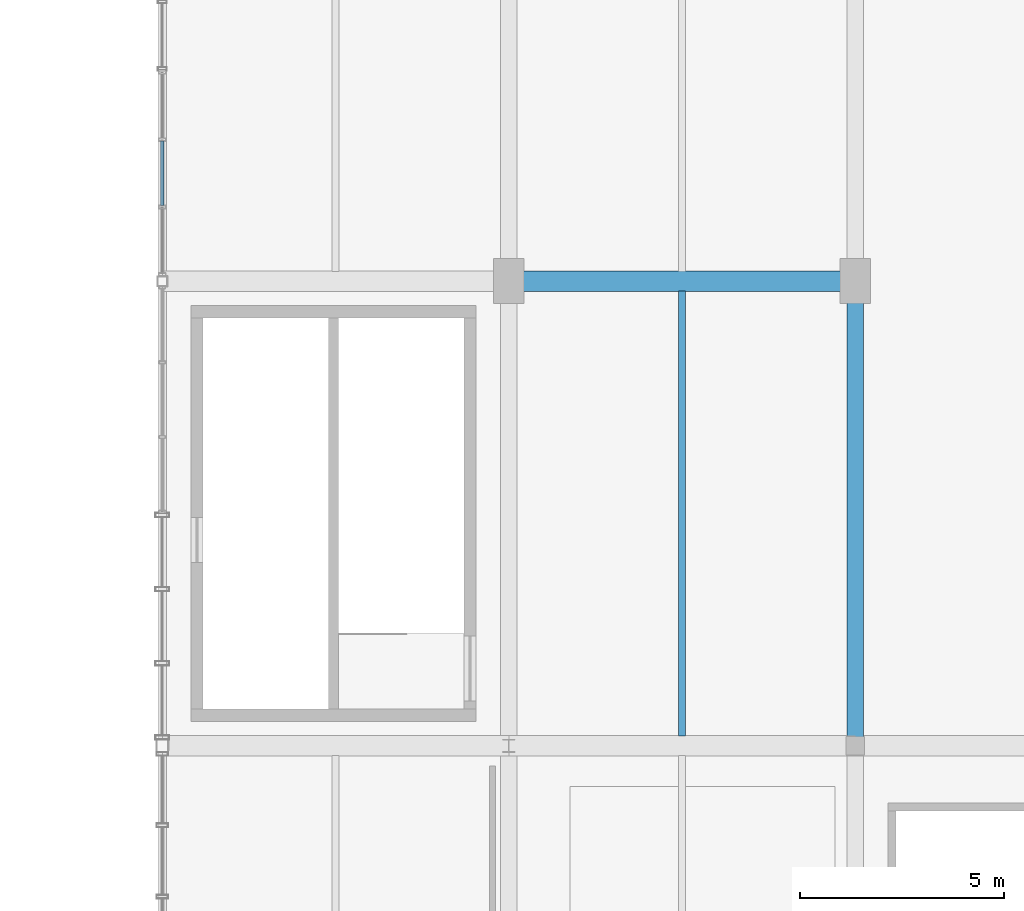
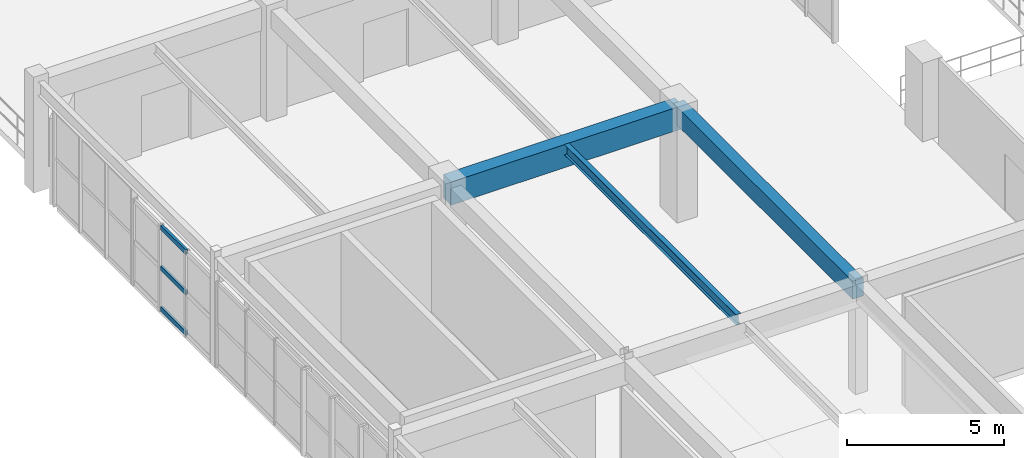
# One storey, part 30 of 80: 3 beams, 3 members, 1 element without a shape of its own.
"""IFC4 building model written with IfcOpenShell, lengths in metres."""

from ifc_helpers import new_model, si_unit, direction, frame, origin, origin_2d, place, context, subcontext, project, spatial, rectangle, hollow_rectangle, i_section, extrude, material, layer, layer_set, material_profile, profile_set, type_object, element, aggregate, save


model = new_model("IFC4")

# Units and contexts
model_context = context("Model", 3, precision=1e-05, world=origin(), true_north=direction((0.0, 1.0)))
body_context = subcontext(model_context, "Body", "Model", "MODEL_VIEW")
ifc_project = project(units=[si_unit("LENGTHUNIT", "METRE"), si_unit("AREAUNIT", "SQUARE_METRE"), si_unit("VOLUMEUNIT", "CUBIC_METRE"), si_unit("PLANEANGLEUNIT", "RADIAN"), si_unit("MASSUNIT", "GRAM", prefix="KILO"), si_unit("POWERUNIT", "WATT"), si_unit("THERMODYNAMICTEMPERATUREUNIT", "KELVIN")], contexts=[model_context])

# Site, building, storey
site_placement = place(None, origin())
site = spatial("IfcSite", under=ifc_project, at=site_placement, CompositionType="ELEMENT")
building_placement = place(site_placement, origin())
building = spatial("IfcBuilding", under=site, at=building_placement, Name="Kelmbourne Parkland Aquatics Centre", CompositionType="ELEMENT")
storey_placement = place(building_placement, frame((0.0, 0.0, 10.199951171875)))
storey = spatial("IfcBuildingStorey", under=building, at=storey_placement, Name="L02", CompositionType="ELEMENT", Elevation=10.199951171875)

# Beams
ifc_material_1 = material(Name="Concrete C40/50", Category="concrete")
ifc_material_profile_1 = material_profile(ifc_material_1, rectangle(XDim=0.5, YDim=0.89990234375, at=origin_2d()), Name="RC 500x900")
ifc_profile_set_1 = profile_set([ifc_material_profile_1], Name="Concrete C40/50")
beam_type_1 = type_object("IfcBeamType", Name="BM-G03", PredefinedType="BEAM", material=ifc_profile_set_1)
beam_1_placement = place(storey_placement, frame((110.5, 46.39990234375, 3.81005859375), z_axis=(1.0, 0.0, 0.0), x_axis=(0.0, 1.0, 0.0)))
element("IfcBeam", 1, at=beam_1_placement, inside=storey, type_object=beam_type_1, Name="Primary girder N-O Grid 06 (L03)", PredefinedType="BEAM", context=body_context, shape_type="SweptSolid", body=[
    extrude(rectangle(XDim=0.5, YDim=0.89990234375, at=origin_2d()), origin(), (0.0, 0.0, 1.0), 8.5),
])
ifc_material_profile_2 = material_profile(ifc_material_1, rectangle(XDim=0.39990234375, YDim=0.699951171875, at=origin_2d()), Name="RC 400x700")
ifc_profile_set_2 = profile_set([ifc_material_profile_2], Name="Concrete C40/50")
beam_type_2 = type_object("IfcBeamType", Name="BM-G05", PredefinedType="BEAM", material=ifc_profile_set_2)
beam_2_placement = place(storey_placement, frame((119.0, 35.0, 3.91015625), z_axis=(0.0, 1.0, 0.0), x_axis=(-1.0, 0.0, 0.0)))
element("IfcBeam", 2, at=beam_2_placement, inside=storey, type_object=beam_type_2, Name="Primary girder 05-06 Grid O (L03)", PredefinedType="BEAM", context=body_context, shape_type="SweptSolid", body=[
    extrude(rectangle(XDim=0.39990234375, YDim=0.699951171875, at=origin_2d()), origin(), (0.0, 0.0, 1.0), 11.39990234375),
])
ifc_material_2 = material(Name="Structural steel AS/NZS 3679.1 Grade 300", Category="steel")
ifc_material_profile_3 = material_profile(ifc_material_2, i_section(OverallWidth=0.177978515625, OverallDepth=0.406005859375, WebThickness=0.0078125, FlangeThickness=0.0126953125, at=origin_2d()), Name="410UB59.7")
ifc_profile_set_3 = profile_set([ifc_material_profile_3], Name="Structural steel AS/NZS 3679.1 Grade 300")
beam_type_3 = type_object("IfcBeamType", Name="BM-J01", PredefinedType="JOIST", material=ifc_profile_set_3)
beam_3_placement = place(storey_placement, frame((114.75, 35.241943359375, 4.05712890625), z_axis=(0.0, 1.0, 0.0), x_axis=(-1.0, 0.0, 0.0)))
element("IfcBeam", 3, at=beam_3_placement, inside=storey, type_object=beam_type_3, Name="Secondary floor joist N-O/05-06 #1 (L03)", PredefinedType="JOIST", context=body_context, shape_type="SweptSolid", body=[
    extrude(i_section(OverallWidth=0.177978515625, OverallDepth=0.406005859375, WebThickness=0.0078125, FlangeThickness=0.0126953125, at=origin_2d()), origin(), (0.0, 0.0, 1.0), 10.916015625),
])

# Curtain wall, members
ifc_material_3 = material(Name="Thermally broken anodised aluminium framing", Category="aluminium")
ifc_layer = layer(ifc_material_3, 0.179931640625)
ifc_layer_set = layer_set([ifc_layer], Name="Thermally broken anodised aluminium framing")
curtain_wall_type = type_object("IfcCurtainWallType", Name="CW-14", PredefinedType="NOTDEFINED", material=ifc_layer_set)
curtain_wall_placement = place(storey_placement, origin())
curtain_wall = element("IfcCurtainWall", 4, at=curtain_wall_placement, inside=storey, type_object=curtain_wall_type, Name="Facade curtain wall CW-L02-206", PredefinedType="NOTDEFINED")
ifc_material_profile_4 = material_profile(ifc_material_3, hollow_rectangle(XDim=0.0849609375, YDim=0.179931640625, WallThickness=0.00439453125, at=origin_2d()), Name="CW-T 85x180")
ifc_profile_set_4 = profile_set([ifc_material_profile_4], Name="Thermally broken anodised aluminium framing")
member_type = type_object("IfcMemberType", Name="MB-TRN-3", PredefinedType="USERDEFINED", material=ifc_profile_set_4)
member_1_placement = place(storey_placement, frame((102.0, 48.251708984375, 0.093017578125), z_axis=(0.0, 1.0, 0.0), x_axis=(-1.0, 0.0, 0.0)))
member_1 = element("IfcMember", 5, at=member_1_placement, type_object=member_type, Name="CW-L02-206 transom 0-1", ObjectType="TRANSOM", PredefinedType="USERDEFINED", context=body_context, shape_type="SweptSolid", body=[
    extrude(hollow_rectangle(XDim=0.0849609375, YDim=0.179931640625, WallThickness=0.00439453125, at=origin_2d()), origin(), (0.0, 0.0, 1.0), 1.5869140625),
])
member_2_placement = place(storey_placement, frame((102.0, 48.251708984375, 1.672607421875), z_axis=(0.0, 1.0, 0.0), x_axis=(-1.0, 0.0, 0.0)))
member_2 = element("IfcMember", 6, at=member_2_placement, type_object=member_type, Name="CW-L02-206 transom 1-1", ObjectType="TRANSOM", PredefinedType="USERDEFINED", context=body_context, shape_type="SweptSolid", body=[
    extrude(hollow_rectangle(XDim=0.0849609375, YDim=0.179931640625, WallThickness=0.00439453125, at=origin_2d()), origin(), (0.0, 0.0, 1.0), 1.5869140625),
])
member_3_placement = place(storey_placement, frame((102.0, 48.251708984375, 3.251953125), z_axis=(0.0, 1.0, 0.0), x_axis=(-1.0, 0.0, 0.0)))
member_3 = element("IfcMember", 7, at=member_3_placement, type_object=member_type, Name="CW-L02-206 transom 2-1", ObjectType="TRANSOM", PredefinedType="USERDEFINED", context=body_context, shape_type="SweptSolid", body=[
    extrude(hollow_rectangle(XDim=0.0849609375, YDim=0.179931640625, WallThickness=0.00439453125, at=origin_2d()), origin(), (0.0, 0.0, 1.0), 1.5869140625),
])
aggregate(curtain_wall, [member_1, member_2, member_3])

save(model, "model.ifc")
